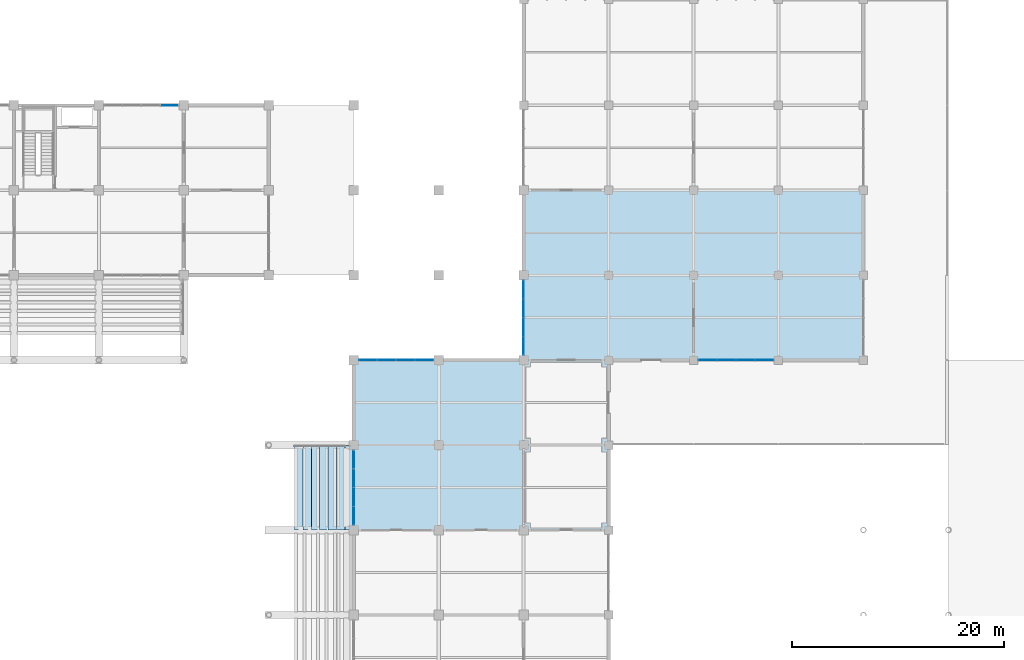
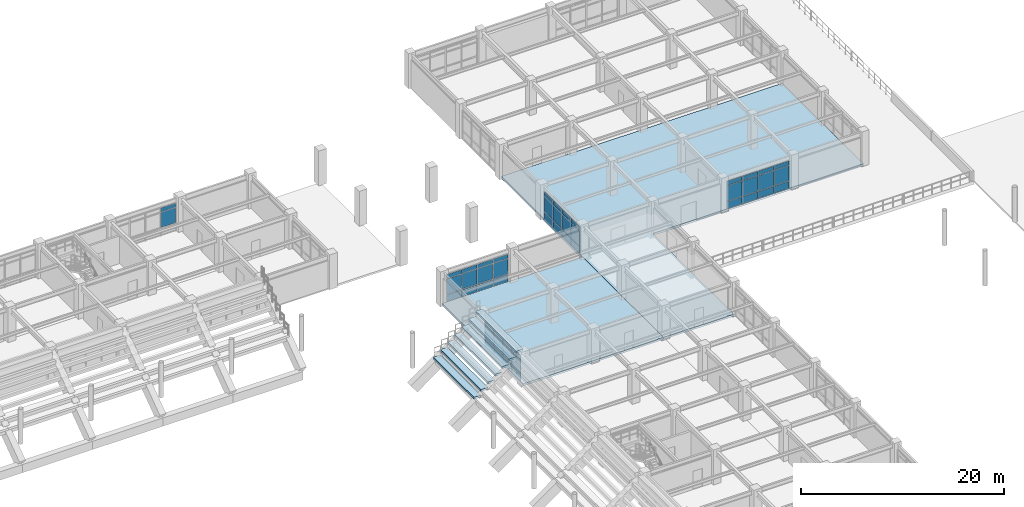
# One storey, part 83 of 118: 50 plates, 9 slabs, 5 elements without a shape of their own.
"""IFC4 building model written with IfcOpenShell, lengths in metres."""

from ifc_helpers import new_model, si_unit, direction, frame, origin, origin_2d, place, context, subcontext, project, spatial, polyline, rectangle, outline, extrude, material, layer, layer_set, type_object, element, aggregate, save


model = new_model("IFC4")

# Units and contexts
model_context = context("Model", 3, precision=1e-05, world=origin(), true_north=direction((0.0, 1.0)))
body_context = subcontext(model_context, "Body", "Model", "MODEL_VIEW")
ifc_project = project(units=[si_unit("LENGTHUNIT", "METRE"), si_unit("AREAUNIT", "SQUARE_METRE"), si_unit("VOLUMEUNIT", "CUBIC_METRE"), si_unit("PLANEANGLEUNIT", "RADIAN"), si_unit("MASSUNIT", "GRAM", prefix="KILO")], contexts=[model_context])

# Site, building, storey
site_placement = place(None, origin())
site = spatial("IfcSite", under=ifc_project, at=site_placement, CompositionType="ELEMENT")
building_placement = place(site_placement, origin())
building = spatial("IfcBuilding", under=site, at=building_placement, Name="Haebicheon Civic Stadium", CompositionType="ELEMENT")
storey_placement = place(building_placement, frame((0.0, 0.0, 14.39990234375)))
storey = spatial("IfcBuildingStorey", under=building, at=storey_placement, Name="L04", CompositionType="ELEMENT", Elevation=14.39990234375)

# Curtain wall, plate
ifc_material_1 = material(Name="Anodised aluminium and laminated glass", Category="aluminium")
ifc_layer_1 = layer(ifc_material_1, 0.179931640625, Name="Anodised aluminium and laminated glass")
ifc_layer_set_1 = layer_set([ifc_layer_1], Name="Anodised aluminium and laminated glass")
curtain_wall_type_1 = type_object("IfcCurtainWallType", Name="CW-7100x3330", PredefinedType="NOTDEFINED", material=ifc_layer_set_1)
curtain_wall_1_placement = place(storey_placement, origin())
curtain_wall_1 = element("IfcCurtainWall", 1, at=curtain_wall_1_placement, inside=storey, type_object=curtain_wall_type_1, material=ifc_layer_set_1, Name="L04 unitised curtain wall 138", PredefinedType="NOTDEFINED")
ifc_material_2 = material(Name="Double low-e acoustic laminated glass", Category="glass")
ifc_layer_2 = layer(ifc_material_2, 0.035888671875, Name="Double low-e acoustic laminated glass")
ifc_layer_set_2 = layer_set([ifc_layer_2], Name="Double low-e acoustic laminated glass")
plate_type_1 = type_object("IfcPlateType", Name="CWP-GLZ-36", PredefinedType="CURTAIN_PANEL", material=ifc_layer_set_2)
plate_1_placement = place(storey_placement, frame((126.64501953125, 168.0, 0.93505859375), z_axis=(0.0, 0.0, 1.0), x_axis=(1.0, 0.0, 0.0)))
plate_1 = element("IfcPlate", 2, at=plate_1_placement, type_object=plate_type_1, material=ifc_layer_set_2, Name="CW-L04-138 vision panel 4.2", PredefinedType="CURTAIN_PANEL", context=body_context, shape_type="SweptSolid", body=[
    extrude(rectangle(XDim=1.669921875, YDim=0.035888671875, at=origin_2d()), origin(), (0.0, 0.0, 1.0), 1.81005859375),
])

# Curtain wall, plates
ifc_material_3 = material(Name="Anodised aluminium and laminated glass", Category="aluminium")
ifc_layer_3 = layer(ifc_material_3, 0.179931640625, Name="Anodised aluminium and laminated glass")
ifc_layer_set_3 = layer_set([ifc_layer_3], Name="Anodised aluminium and laminated glass")
curtain_wall_type_2 = type_object("IfcCurtainWallType", Name="CW-7100x3100", PredefinedType="NOTDEFINED", material=ifc_layer_set_3)
curtain_wall_2_placement = place(storey_placement, origin())
curtain_wall_2 = element("IfcCurtainWall", 3, at=curtain_wall_2_placement, inside=storey, type_object=curtain_wall_type_2, material=ifc_layer_set_3, Name="L04 unitised curtain wall 147", PredefinedType="NOTDEFINED")
plate_2_placement = place(storey_placement, frame((144.0, 129.35498046875, 0.93505859375), z_axis=(0.0, 0.0, 1.0), x_axis=(0.0, 1.0, 0.0)))
plate_2 = element("IfcPlate", 4, at=plate_2_placement, type_object=plate_type_1, material=ifc_layer_set_2, Name="CW-L04-147 vision panel 1.2", PredefinedType="CURTAIN_PANEL", context=body_context, shape_type="SweptSolid", body=[
    extrude(rectangle(XDim=1.669921875, YDim=0.035888671875, at=origin_2d()), origin(), (0.0, 0.0, 1.0), 1.580078125),
])
plate_3_placement = place(storey_placement, frame((144.0, 131.112060546875, 0.93505859375), z_axis=(0.0, 0.0, 1.0), x_axis=(0.0, 1.0, 0.0)))
plate_3 = element("IfcPlate", 5, at=plate_3_placement, type_object=plate_type_1, material=ifc_layer_set_2, Name="CW-L04-147 vision panel 2.2", PredefinedType="CURTAIN_PANEL", context=body_context, shape_type="SweptSolid", body=[
    extrude(rectangle(XDim=1.705078125, YDim=0.035888671875, at=origin_2d()), origin(), (0.0, 0.0, 1.0), 1.580078125),
])
plate_4_placement = place(storey_placement, frame((144.0, 132.887939453125, 0.93505859375), z_axis=(0.0, 0.0, 1.0), x_axis=(0.0, 1.0, 0.0)))
plate_4 = element("IfcPlate", 6, at=plate_4_placement, type_object=plate_type_1, material=ifc_layer_set_2, Name="CW-L04-147 vision panel 3.2", PredefinedType="CURTAIN_PANEL", context=body_context, shape_type="SweptSolid", body=[
    extrude(rectangle(XDim=1.705078125, YDim=0.035888671875, at=origin_2d()), origin(), (0.0, 0.0, 1.0), 1.580078125),
])
plate_5_placement = place(storey_placement, frame((144.0, 134.64501953125, 0.93505859375), z_axis=(0.0, 0.0, 1.0), x_axis=(0.0, 1.0, 0.0)))
plate_5 = element("IfcPlate", 7, at=plate_5_placement, type_object=plate_type_1, material=ifc_layer_set_2, Name="CW-L04-147 vision panel 4.2", PredefinedType="CURTAIN_PANEL", context=body_context, shape_type="SweptSolid", body=[
    extrude(rectangle(XDim=1.669921875, YDim=0.035888671875, at=origin_2d()), origin(), (0.0, 0.0, 1.0), 1.580078125),
])

curtain_wall_3_placement = place(storey_placement, origin())
curtain_wall_3 = element("IfcCurtainWall", 8, at=curtain_wall_3_placement, inside=storey, type_object=curtain_wall_type_1, material=ifc_layer_set_1, Name="L04 unitised curtain wall 148", PredefinedType="NOTDEFINED")
plate_6_placement = place(storey_placement, frame((145.35498046875, 144.0, 0.93505859375), z_axis=(0.0, 0.0, 1.0), x_axis=(1.0, 0.0, 0.0)))
plate_6 = element("IfcPlate", 9, at=plate_6_placement, type_object=plate_type_1, material=ifc_layer_set_2, Name="CW-L04-148 vision panel 1.2", PredefinedType="CURTAIN_PANEL", context=body_context, shape_type="SweptSolid", body=[
    extrude(rectangle(XDim=1.669921875, YDim=0.035888671875, at=origin_2d()), origin(), (0.0, 0.0, 1.0), 1.81005859375),
])
plate_7_placement = place(storey_placement, frame((147.112060546875, 144.0, 0.93505859375), z_axis=(0.0, 0.0, 1.0), x_axis=(1.0, 0.0, 0.0)))
plate_7 = element("IfcPlate", 10, at=plate_7_placement, type_object=plate_type_1, material=ifc_layer_set_2, Name="CW-L04-148 vision panel 2.2", PredefinedType="CURTAIN_PANEL", context=body_context, shape_type="SweptSolid", body=[
    extrude(rectangle(XDim=1.705078125, YDim=0.035888671875, at=origin_2d()), origin(), (0.0, 0.0, 1.0), 1.81005859375),
])
plate_8_placement = place(storey_placement, frame((148.887939453125, 144.0, 0.93505859375), z_axis=(0.0, 0.0, 1.0), x_axis=(1.0, 0.0, 0.0)))
plate_8 = element("IfcPlate", 11, at=plate_8_placement, type_object=plate_type_1, material=ifc_layer_set_2, Name="CW-L04-148 vision panel 3.2", PredefinedType="CURTAIN_PANEL", context=body_context, shape_type="SweptSolid", body=[
    extrude(rectangle(XDim=1.705078125, YDim=0.035888671875, at=origin_2d()), origin(), (0.0, 0.0, 1.0), 1.81005859375),
])
plate_9_placement = place(storey_placement, frame((150.64501953125, 144.0, 0.93505859375), z_axis=(0.0, 0.0, 1.0), x_axis=(1.0, 0.0, 0.0)))
plate_9 = element("IfcPlate", 12, at=plate_9_placement, type_object=plate_type_1, material=ifc_layer_set_2, Name="CW-L04-148 vision panel 4.2", PredefinedType="CURTAIN_PANEL", context=body_context, shape_type="SweptSolid", body=[
    extrude(rectangle(XDim=1.669921875, YDim=0.035888671875, at=origin_2d()), origin(), (0.0, 0.0, 1.0), 1.81005859375),
])

ifc_material_4 = material(Name="Anodised aluminium and laminated glass", Category="aluminium")
ifc_layer_4 = layer(ifc_material_4, 0.179931640625, Name="Anodised aluminium and laminated glass")
ifc_layer_set_4 = layer_set([ifc_layer_4], Name="Anodised aluminium and laminated glass")
curtain_wall_type_3 = type_object("IfcCurtainWallType", Name="CW-7100x3326", PredefinedType="NOTDEFINED", material=ifc_layer_set_4)
curtain_wall_4_placement = place(storey_placement, origin())
curtain_wall_4 = element("IfcCurtainWall", 13, at=curtain_wall_4_placement, inside=storey, type_object=curtain_wall_type_3, material=ifc_layer_set_4, Name="L04 unitised curtain wall 159", PredefinedType="NOTDEFINED")
plate_10_placement = place(storey_placement, frame((160.0, 145.35498046875, 0.93505859375), z_axis=(0.0, 0.0, 1.0), x_axis=(0.0, 1.0, 0.0)))
plate_10 = element("IfcPlate", 14, at=plate_10_placement, type_object=plate_type_1, material=ifc_layer_set_2, Name="CW-L04-159 vision panel 1.2", PredefinedType="CURTAIN_PANEL", context=body_context, shape_type="SweptSolid", body=[
    extrude(rectangle(XDim=1.669921875, YDim=0.035888671875, at=origin_2d()), origin(), (0.0, 0.0, 1.0), 1.805908203125),
])
plate_11_placement = place(storey_placement, frame((160.0, 147.112060546875, 0.93505859375), z_axis=(0.0, 0.0, 1.0), x_axis=(0.0, 1.0, 0.0)))
plate_11 = element("IfcPlate", 15, at=plate_11_placement, type_object=plate_type_1, material=ifc_layer_set_2, Name="CW-L04-159 vision panel 2.2", PredefinedType="CURTAIN_PANEL", context=body_context, shape_type="SweptSolid", body=[
    extrude(rectangle(XDim=1.705078125, YDim=0.035888671875, at=origin_2d()), origin(), (0.0, 0.0, 1.0), 1.805908203125),
])
plate_12_placement = place(storey_placement, frame((160.0, 148.887939453125, 0.93505859375), z_axis=(0.0, 0.0, 1.0), x_axis=(0.0, 1.0, 0.0)))
plate_12 = element("IfcPlate", 16, at=plate_12_placement, type_object=plate_type_1, material=ifc_layer_set_2, Name="CW-L04-159 vision panel 3.2", PredefinedType="CURTAIN_PANEL", context=body_context, shape_type="SweptSolid", body=[
    extrude(rectangle(XDim=1.705078125, YDim=0.035888671875, at=origin_2d()), origin(), (0.0, 0.0, 1.0), 1.805908203125),
])
plate_13_placement = place(storey_placement, frame((160.0, 150.64501953125, 0.93505859375), z_axis=(0.0, 0.0, 1.0), x_axis=(0.0, 1.0, 0.0)))
plate_13 = element("IfcPlate", 17, at=plate_13_placement, type_object=plate_type_1, material=ifc_layer_set_2, Name="CW-L04-159 vision panel 4.2", PredefinedType="CURTAIN_PANEL", context=body_context, shape_type="SweptSolid", body=[
    extrude(rectangle(XDim=1.669921875, YDim=0.035888671875, at=origin_2d()), origin(), (0.0, 0.0, 1.0), 1.805908203125),
])

ifc_material_5 = material(Name="Anodised aluminium and laminated glass", Category="aluminium")
ifc_layer_5 = layer(ifc_material_5, 0.179931640625, Name="Anodised aluminium and laminated glass")
ifc_layer_set_5 = layer_set([ifc_layer_5], Name="Anodised aluminium and laminated glass")
curtain_wall_type_4 = type_object("IfcCurtainWallType", Name="CW-7200x3350", PredefinedType="NOTDEFINED", material=ifc_layer_set_5)
curtain_wall_5_placement = place(storey_placement, origin())
curtain_wall_5 = element("IfcCurtainWall", 18, at=curtain_wall_5_placement, inside=storey, type_object=curtain_wall_type_4, material=ifc_layer_set_5, Name="L04 unitised curtain wall 163", PredefinedType="NOTDEFINED")
plate_14_placement = place(storey_placement, frame((177.318115234375, 144.0, 0.93505859375), z_axis=(0.0, 0.0, 1.0), x_axis=(1.0, 0.0, 0.0)))
plate_14 = element("IfcPlate", 19, at=plate_14_placement, type_object=plate_type_1, material=ifc_layer_set_2, Name="CW-L04-163 vision panel 1.2", PredefinedType="CURTAIN_PANEL", context=body_context, shape_type="SweptSolid", body=[
    extrude(rectangle(XDim=1.695068359375, YDim=0.035888671875, at=origin_2d()), origin(), (0.0, 0.0, 1.0), 1.830078125),
])
plate_15_placement = place(storey_placement, frame((179.10009765625, 144.0, 0.93505859375), z_axis=(0.0, 0.0, 1.0), x_axis=(1.0, 0.0, 0.0)))
plate_15 = element("IfcPlate", 20, at=plate_15_placement, type_object=plate_type_1, material=ifc_layer_set_2, Name="CW-L04-163 vision panel 2.2", PredefinedType="CURTAIN_PANEL", context=body_context, shape_type="SweptSolid", body=[
    extrude(rectangle(XDim=1.72998046875, YDim=0.035888671875, at=origin_2d()), origin(), (0.0, 0.0, 1.0), 1.830078125),
])
plate_16_placement = place(storey_placement, frame((180.89990234375, 144.0, 0.93505859375), z_axis=(0.0, 0.0, 1.0), x_axis=(1.0, 0.0, 0.0)))
plate_16 = element("IfcPlate", 21, at=plate_16_placement, type_object=plate_type_1, material=ifc_layer_set_2, Name="CW-L04-163 vision panel 3.2", PredefinedType="CURTAIN_PANEL", context=body_context, shape_type="SweptSolid", body=[
    extrude(rectangle(XDim=1.72998046875, YDim=0.035888671875, at=origin_2d()), origin(), (0.0, 0.0, 1.0), 1.830078125),
])
plate_17_placement = place(storey_placement, frame((182.681884765625, 144.0, 0.93505859375), z_axis=(0.0, 0.0, 1.0), x_axis=(1.0, 0.0, 0.0)))
plate_17 = element("IfcPlate", 22, at=plate_17_placement, type_object=plate_type_1, material=ifc_layer_set_2, Name="CW-L04-163 vision panel 4.2", PredefinedType="CURTAIN_PANEL", context=body_context, shape_type="SweptSolid", body=[
    extrude(rectangle(XDim=1.695068359375, YDim=0.035888671875, at=origin_2d()), origin(), (0.0, 0.0, 1.0), 1.830078125),
])

# Plate
ifc_material_6 = material(Name="Anodised aluminium 6063-T6", Category="aluminium")
ifc_layer_6 = layer(ifc_material_6, 0.053955078125, Name="Anodised aluminium 6063-T6")
ifc_layer_set_6 = layer_set([ifc_layer_6], Name="Anodised aluminium 6063-T6")
plate_type_2 = type_object("IfcPlateType", Name="CWP-SPD-54", PredefinedType="CURTAIN_PANEL", material=ifc_layer_set_6)
plate_18_placement = place(storey_placement, frame((126.64501953125, 168.0, 2.815185546875), z_axis=(0.0, 0.0, 1.0), x_axis=(1.0, 0.0, 0.0)))
plate_18 = element("IfcPlate", 23, at=plate_18_placement, type_object=plate_type_2, material=ifc_layer_set_6, Name="CW-L04-138 spandrel panel 4.3", PredefinedType="CURTAIN_PANEL", context=body_context, shape_type="SweptSolid", body=[
    extrude(rectangle(XDim=1.669921875, YDim=0.053955078125, at=origin_2d()), origin(), (0.0, 0.0, 1.0), 0.47998046875),
])

aggregate(curtain_wall_1, [plate_1, plate_18])

plate_19_placement = place(storey_placement, frame((144.0, 129.35498046875, 0.03515625), z_axis=(0.0, 0.0, 1.0), x_axis=(0.0, 1.0, 0.0)))
plate_19 = element("IfcPlate", 24, at=plate_19_placement, type_object=plate_type_2, material=ifc_layer_set_6, Name="CW-L04-147 spandrel panel 1.1", PredefinedType="CURTAIN_PANEL", context=body_context, shape_type="SweptSolid", body=[
    extrude(rectangle(XDim=1.669921875, YDim=0.053955078125, at=origin_2d()), origin(), (0.0, 0.0, 1.0), 0.830078125),
])

plate_20_placement = place(storey_placement, frame((144.0, 129.35498046875, 2.585205078125), z_axis=(0.0, 0.0, 1.0), x_axis=(0.0, 1.0, 0.0)))
plate_20 = element("IfcPlate", 25, at=plate_20_placement, type_object=plate_type_2, material=ifc_layer_set_6, Name="CW-L04-147 spandrel panel 1.3", PredefinedType="CURTAIN_PANEL", context=body_context, shape_type="SweptSolid", body=[
    extrude(rectangle(XDim=1.669921875, YDim=0.053955078125, at=origin_2d()), origin(), (0.0, 0.0, 1.0), 0.47998046875),
])

plate_21_placement = place(storey_placement, frame((144.0, 131.112060546875, 0.03515625), z_axis=(0.0, 0.0, 1.0), x_axis=(0.0, 1.0, 0.0)))
plate_21 = element("IfcPlate", 26, at=plate_21_placement, type_object=plate_type_2, material=ifc_layer_set_6, Name="CW-L04-147 spandrel panel 2.1", PredefinedType="CURTAIN_PANEL", context=body_context, shape_type="SweptSolid", body=[
    extrude(rectangle(XDim=1.705078125, YDim=0.053955078125, at=origin_2d()), origin(), (0.0, 0.0, 1.0), 0.830078125),
])

plate_22_placement = place(storey_placement, frame((144.0, 131.112060546875, 2.585205078125), z_axis=(0.0, 0.0, 1.0), x_axis=(0.0, 1.0, 0.0)))
plate_22 = element("IfcPlate", 27, at=plate_22_placement, type_object=plate_type_2, material=ifc_layer_set_6, Name="CW-L04-147 spandrel panel 2.3", PredefinedType="CURTAIN_PANEL", context=body_context, shape_type="SweptSolid", body=[
    extrude(rectangle(XDim=1.705078125, YDim=0.053955078125, at=origin_2d()), origin(), (0.0, 0.0, 1.0), 0.47998046875),
])

plate_23_placement = place(storey_placement, frame((144.0, 132.887939453125, 0.03515625), z_axis=(0.0, 0.0, 1.0), x_axis=(0.0, 1.0, 0.0)))
plate_23 = element("IfcPlate", 28, at=plate_23_placement, type_object=plate_type_2, material=ifc_layer_set_6, Name="CW-L04-147 spandrel panel 3.1", PredefinedType="CURTAIN_PANEL", context=body_context, shape_type="SweptSolid", body=[
    extrude(rectangle(XDim=1.705078125, YDim=0.053955078125, at=origin_2d()), origin(), (0.0, 0.0, 1.0), 0.830078125),
])

plate_24_placement = place(storey_placement, frame((144.0, 132.887939453125, 2.585205078125), z_axis=(0.0, 0.0, 1.0), x_axis=(0.0, 1.0, 0.0)))
plate_24 = element("IfcPlate", 29, at=plate_24_placement, type_object=plate_type_2, material=ifc_layer_set_6, Name="CW-L04-147 spandrel panel 3.3", PredefinedType="CURTAIN_PANEL", context=body_context, shape_type="SweptSolid", body=[
    extrude(rectangle(XDim=1.705078125, YDim=0.053955078125, at=origin_2d()), origin(), (0.0, 0.0, 1.0), 0.47998046875),
])

plate_25_placement = place(storey_placement, frame((144.0, 134.64501953125, 0.03515625), z_axis=(0.0, 0.0, 1.0), x_axis=(0.0, 1.0, 0.0)))
plate_25 = element("IfcPlate", 30, at=plate_25_placement, type_object=plate_type_2, material=ifc_layer_set_6, Name="CW-L04-147 spandrel panel 4.1", PredefinedType="CURTAIN_PANEL", context=body_context, shape_type="SweptSolid", body=[
    extrude(rectangle(XDim=1.669921875, YDim=0.053955078125, at=origin_2d()), origin(), (0.0, 0.0, 1.0), 0.830078125),
])

plate_26_placement = place(storey_placement, frame((144.0, 134.64501953125, 2.585205078125), z_axis=(0.0, 0.0, 1.0), x_axis=(0.0, 1.0, 0.0)))
plate_26 = element("IfcPlate", 31, at=plate_26_placement, type_object=plate_type_2, material=ifc_layer_set_6, Name="CW-L04-147 spandrel panel 4.3", PredefinedType="CURTAIN_PANEL", context=body_context, shape_type="SweptSolid", body=[
    extrude(rectangle(XDim=1.669921875, YDim=0.053955078125, at=origin_2d()), origin(), (0.0, 0.0, 1.0), 0.47998046875),
])

aggregate(curtain_wall_2, [plate_19, plate_2, plate_20, plate_21, plate_3, plate_22, plate_23, plate_4, plate_24, plate_25, plate_5, plate_26])

plate_27_placement = place(storey_placement, frame((145.35498046875, 144.0, 0.03515625), z_axis=(0.0, 0.0, 1.0), x_axis=(1.0, 0.0, 0.0)))
plate_27 = element("IfcPlate", 32, at=plate_27_placement, type_object=plate_type_2, material=ifc_layer_set_6, Name="CW-L04-148 spandrel panel 1.1", PredefinedType="CURTAIN_PANEL", context=body_context, shape_type="SweptSolid", body=[
    extrude(rectangle(XDim=1.669921875, YDim=0.053955078125, at=origin_2d()), origin(), (0.0, 0.0, 1.0), 0.830078125),
])

plate_28_placement = place(storey_placement, frame((145.35498046875, 144.0, 2.815185546875), z_axis=(0.0, 0.0, 1.0), x_axis=(1.0, 0.0, 0.0)))
plate_28 = element("IfcPlate", 33, at=plate_28_placement, type_object=plate_type_2, material=ifc_layer_set_6, Name="CW-L04-148 spandrel panel 1.3", PredefinedType="CURTAIN_PANEL", context=body_context, shape_type="SweptSolid", body=[
    extrude(rectangle(XDim=1.669921875, YDim=0.053955078125, at=origin_2d()), origin(), (0.0, 0.0, 1.0), 0.47998046875),
])

plate_29_placement = place(storey_placement, frame((147.112060546875, 144.0, 0.03515625), z_axis=(0.0, 0.0, 1.0), x_axis=(1.0, 0.0, 0.0)))
plate_29 = element("IfcPlate", 34, at=plate_29_placement, type_object=plate_type_2, material=ifc_layer_set_6, Name="CW-L04-148 spandrel panel 2.1", PredefinedType="CURTAIN_PANEL", context=body_context, shape_type="SweptSolid", body=[
    extrude(rectangle(XDim=1.705078125, YDim=0.053955078125, at=origin_2d()), origin(), (0.0, 0.0, 1.0), 0.830078125),
])

plate_30_placement = place(storey_placement, frame((147.112060546875, 144.0, 2.815185546875), z_axis=(0.0, 0.0, 1.0), x_axis=(1.0, 0.0, 0.0)))
plate_30 = element("IfcPlate", 35, at=plate_30_placement, type_object=plate_type_2, material=ifc_layer_set_6, Name="CW-L04-148 spandrel panel 2.3", PredefinedType="CURTAIN_PANEL", context=body_context, shape_type="SweptSolid", body=[
    extrude(rectangle(XDim=1.705078125, YDim=0.053955078125, at=origin_2d()), origin(), (0.0, 0.0, 1.0), 0.47998046875),
])

plate_31_placement = place(storey_placement, frame((148.887939453125, 144.0, 0.03515625), z_axis=(0.0, 0.0, 1.0), x_axis=(1.0, 0.0, 0.0)))
plate_31 = element("IfcPlate", 36, at=plate_31_placement, type_object=plate_type_2, material=ifc_layer_set_6, Name="CW-L04-148 spandrel panel 3.1", PredefinedType="CURTAIN_PANEL", context=body_context, shape_type="SweptSolid", body=[
    extrude(rectangle(XDim=1.705078125, YDim=0.053955078125, at=origin_2d()), origin(), (0.0, 0.0, 1.0), 0.830078125),
])

plate_32_placement = place(storey_placement, frame((148.887939453125, 144.0, 2.815185546875), z_axis=(0.0, 0.0, 1.0), x_axis=(1.0, 0.0, 0.0)))
plate_32 = element("IfcPlate", 37, at=plate_32_placement, type_object=plate_type_2, material=ifc_layer_set_6, Name="CW-L04-148 spandrel panel 3.3", PredefinedType="CURTAIN_PANEL", context=body_context, shape_type="SweptSolid", body=[
    extrude(rectangle(XDim=1.705078125, YDim=0.053955078125, at=origin_2d()), origin(), (0.0, 0.0, 1.0), 0.47998046875),
])

plate_33_placement = place(storey_placement, frame((150.64501953125, 144.0, 0.03515625), z_axis=(0.0, 0.0, 1.0), x_axis=(1.0, 0.0, 0.0)))
plate_33 = element("IfcPlate", 38, at=plate_33_placement, type_object=plate_type_2, material=ifc_layer_set_6, Name="CW-L04-148 spandrel panel 4.1", PredefinedType="CURTAIN_PANEL", context=body_context, shape_type="SweptSolid", body=[
    extrude(rectangle(XDim=1.669921875, YDim=0.053955078125, at=origin_2d()), origin(), (0.0, 0.0, 1.0), 0.830078125),
])

plate_34_placement = place(storey_placement, frame((150.64501953125, 144.0, 2.815185546875), z_axis=(0.0, 0.0, 1.0), x_axis=(1.0, 0.0, 0.0)))
plate_34 = element("IfcPlate", 39, at=plate_34_placement, type_object=plate_type_2, material=ifc_layer_set_6, Name="CW-L04-148 spandrel panel 4.3", PredefinedType="CURTAIN_PANEL", context=body_context, shape_type="SweptSolid", body=[
    extrude(rectangle(XDim=1.669921875, YDim=0.053955078125, at=origin_2d()), origin(), (0.0, 0.0, 1.0), 0.47998046875),
])

aggregate(curtain_wall_3, [plate_27, plate_6, plate_28, plate_29, plate_7, plate_30, plate_31, plate_8, plate_32, plate_33, plate_9, plate_34])

plate_35_placement = place(storey_placement, frame((160.0, 145.35498046875, 0.03515625), z_axis=(0.0, 0.0, 1.0), x_axis=(0.0, 1.0, 0.0)))
plate_35 = element("IfcPlate", 40, at=plate_35_placement, type_object=plate_type_2, material=ifc_layer_set_6, Name="CW-L04-159 spandrel panel 1.1", PredefinedType="CURTAIN_PANEL", context=body_context, shape_type="SweptSolid", body=[
    extrude(rectangle(XDim=1.669921875, YDim=0.053955078125, at=origin_2d()), origin(), (0.0, 0.0, 1.0), 0.830078125),
])

plate_36_placement = place(storey_placement, frame((160.0, 145.35498046875, 2.81103515625), z_axis=(0.0, 0.0, 1.0), x_axis=(0.0, 1.0, 0.0)))
plate_36 = element("IfcPlate", 41, at=plate_36_placement, type_object=plate_type_2, material=ifc_layer_set_6, Name="CW-L04-159 spandrel panel 1.3", PredefinedType="CURTAIN_PANEL", context=body_context, shape_type="SweptSolid", body=[
    extrude(rectangle(XDim=1.669921875, YDim=0.053955078125, at=origin_2d()), origin(), (0.0, 0.0, 1.0), 0.47998046875),
])

plate_37_placement = place(storey_placement, frame((160.0, 147.112060546875, 0.03515625), z_axis=(0.0, 0.0, 1.0), x_axis=(0.0, 1.0, 0.0)))
plate_37 = element("IfcPlate", 42, at=plate_37_placement, type_object=plate_type_2, material=ifc_layer_set_6, Name="CW-L04-159 spandrel panel 2.1", PredefinedType="CURTAIN_PANEL", context=body_context, shape_type="SweptSolid", body=[
    extrude(rectangle(XDim=1.705078125, YDim=0.053955078125, at=origin_2d()), origin(), (0.0, 0.0, 1.0), 0.830078125),
])

plate_38_placement = place(storey_placement, frame((160.0, 147.112060546875, 2.81103515625), z_axis=(0.0, 0.0, 1.0), x_axis=(0.0, 1.0, 0.0)))
plate_38 = element("IfcPlate", 43, at=plate_38_placement, type_object=plate_type_2, material=ifc_layer_set_6, Name="CW-L04-159 spandrel panel 2.3", PredefinedType="CURTAIN_PANEL", context=body_context, shape_type="SweptSolid", body=[
    extrude(rectangle(XDim=1.705078125, YDim=0.053955078125, at=origin_2d()), origin(), (0.0, 0.0, 1.0), 0.47998046875),
])

plate_39_placement = place(storey_placement, frame((160.0, 148.887939453125, 0.03515625), z_axis=(0.0, 0.0, 1.0), x_axis=(0.0, 1.0, 0.0)))
plate_39 = element("IfcPlate", 44, at=plate_39_placement, type_object=plate_type_2, material=ifc_layer_set_6, Name="CW-L04-159 spandrel panel 3.1", PredefinedType="CURTAIN_PANEL", context=body_context, shape_type="SweptSolid", body=[
    extrude(rectangle(XDim=1.705078125, YDim=0.053955078125, at=origin_2d()), origin(), (0.0, 0.0, 1.0), 0.830078125),
])

plate_40_placement = place(storey_placement, frame((160.0, 148.887939453125, 2.81103515625), z_axis=(0.0, 0.0, 1.0), x_axis=(0.0, 1.0, 0.0)))
plate_40 = element("IfcPlate", 45, at=plate_40_placement, type_object=plate_type_2, material=ifc_layer_set_6, Name="CW-L04-159 spandrel panel 3.3", PredefinedType="CURTAIN_PANEL", context=body_context, shape_type="SweptSolid", body=[
    extrude(rectangle(XDim=1.705078125, YDim=0.053955078125, at=origin_2d()), origin(), (0.0, 0.0, 1.0), 0.47998046875),
])

plate_41_placement = place(storey_placement, frame((160.0, 150.64501953125, 0.03515625), z_axis=(0.0, 0.0, 1.0), x_axis=(0.0, 1.0, 0.0)))
plate_41 = element("IfcPlate", 46, at=plate_41_placement, type_object=plate_type_2, material=ifc_layer_set_6, Name="CW-L04-159 spandrel panel 4.1", PredefinedType="CURTAIN_PANEL", context=body_context, shape_type="SweptSolid", body=[
    extrude(rectangle(XDim=1.669921875, YDim=0.053955078125, at=origin_2d()), origin(), (0.0, 0.0, 1.0), 0.830078125),
])

plate_42_placement = place(storey_placement, frame((160.0, 150.64501953125, 2.81103515625), z_axis=(0.0, 0.0, 1.0), x_axis=(0.0, 1.0, 0.0)))
plate_42 = element("IfcPlate", 47, at=plate_42_placement, type_object=plate_type_2, material=ifc_layer_set_6, Name="CW-L04-159 spandrel panel 4.3", PredefinedType="CURTAIN_PANEL", context=body_context, shape_type="SweptSolid", body=[
    extrude(rectangle(XDim=1.669921875, YDim=0.053955078125, at=origin_2d()), origin(), (0.0, 0.0, 1.0), 0.47998046875),
])

aggregate(curtain_wall_4, [plate_35, plate_10, plate_36, plate_37, plate_11, plate_38, plate_39, plate_12, plate_40, plate_41, plate_13, plate_42])

plate_43_placement = place(storey_placement, frame((177.318115234375, 144.0, 0.03515625), z_axis=(0.0, 0.0, 1.0), x_axis=(1.0, 0.0, 0.0)))
plate_43 = element("IfcPlate", 48, at=plate_43_placement, type_object=plate_type_2, material=ifc_layer_set_6, Name="CW-L04-163 spandrel panel 1.1", PredefinedType="CURTAIN_PANEL", context=body_context, shape_type="SweptSolid", body=[
    extrude(rectangle(XDim=1.695068359375, YDim=0.053955078125, at=origin_2d()), origin(), (0.0, 0.0, 1.0), 0.830078125),
])

plate_44_placement = place(storey_placement, frame((177.318115234375, 144.0, 2.835205078125), z_axis=(0.0, 0.0, 1.0), x_axis=(1.0, 0.0, 0.0)))
plate_44 = element("IfcPlate", 49, at=plate_44_placement, type_object=plate_type_2, material=ifc_layer_set_6, Name="CW-L04-163 spandrel panel 1.3", PredefinedType="CURTAIN_PANEL", context=body_context, shape_type="SweptSolid", body=[
    extrude(rectangle(XDim=1.695068359375, YDim=0.053955078125, at=origin_2d()), origin(), (0.0, 0.0, 1.0), 0.47998046875),
])

plate_45_placement = place(storey_placement, frame((179.10009765625, 144.0, 0.03515625), z_axis=(0.0, 0.0, 1.0), x_axis=(1.0, 0.0, 0.0)))
plate_45 = element("IfcPlate", 50, at=plate_45_placement, type_object=plate_type_2, material=ifc_layer_set_6, Name="CW-L04-163 spandrel panel 2.1", PredefinedType="CURTAIN_PANEL", context=body_context, shape_type="SweptSolid", body=[
    extrude(rectangle(XDim=1.72998046875, YDim=0.053955078125, at=origin_2d()), origin(), (0.0, 0.0, 1.0), 0.830078125),
])

plate_46_placement = place(storey_placement, frame((179.10009765625, 144.0, 2.835205078125), z_axis=(0.0, 0.0, 1.0), x_axis=(1.0, 0.0, 0.0)))
plate_46 = element("IfcPlate", 51, at=plate_46_placement, type_object=plate_type_2, material=ifc_layer_set_6, Name="CW-L04-163 spandrel panel 2.3", PredefinedType="CURTAIN_PANEL", context=body_context, shape_type="SweptSolid", body=[
    extrude(rectangle(XDim=1.72998046875, YDim=0.053955078125, at=origin_2d()), origin(), (0.0, 0.0, 1.0), 0.47998046875),
])

plate_47_placement = place(storey_placement, frame((180.89990234375, 144.0, 0.03515625), z_axis=(0.0, 0.0, 1.0), x_axis=(1.0, 0.0, 0.0)))
plate_47 = element("IfcPlate", 52, at=plate_47_placement, type_object=plate_type_2, material=ifc_layer_set_6, Name="CW-L04-163 spandrel panel 3.1", PredefinedType="CURTAIN_PANEL", context=body_context, shape_type="SweptSolid", body=[
    extrude(rectangle(XDim=1.72998046875, YDim=0.053955078125, at=origin_2d()), origin(), (0.0, 0.0, 1.0), 0.830078125),
])

plate_48_placement = place(storey_placement, frame((180.89990234375, 144.0, 2.835205078125), z_axis=(0.0, 0.0, 1.0), x_axis=(1.0, 0.0, 0.0)))
plate_48 = element("IfcPlate", 53, at=plate_48_placement, type_object=plate_type_2, material=ifc_layer_set_6, Name="CW-L04-163 spandrel panel 3.3", PredefinedType="CURTAIN_PANEL", context=body_context, shape_type="SweptSolid", body=[
    extrude(rectangle(XDim=1.72998046875, YDim=0.053955078125, at=origin_2d()), origin(), (0.0, 0.0, 1.0), 0.47998046875),
])

plate_49_placement = place(storey_placement, frame((182.681884765625, 144.0, 0.03515625), z_axis=(0.0, 0.0, 1.0), x_axis=(1.0, 0.0, 0.0)))
plate_49 = element("IfcPlate", 54, at=plate_49_placement, type_object=plate_type_2, material=ifc_layer_set_6, Name="CW-L04-163 spandrel panel 4.1", PredefinedType="CURTAIN_PANEL", context=body_context, shape_type="SweptSolid", body=[
    extrude(rectangle(XDim=1.695068359375, YDim=0.053955078125, at=origin_2d()), origin(), (0.0, 0.0, 1.0), 0.830078125),
])

plate_50_placement = place(storey_placement, frame((182.681884765625, 144.0, 2.835205078125), z_axis=(0.0, 0.0, 1.0), x_axis=(1.0, 0.0, 0.0)))
plate_50 = element("IfcPlate", 55, at=plate_50_placement, type_object=plate_type_2, material=ifc_layer_set_6, Name="CW-L04-163 spandrel panel 4.3", PredefinedType="CURTAIN_PANEL", context=body_context, shape_type="SweptSolid", body=[
    extrude(rectangle(XDim=1.695068359375, YDim=0.053955078125, at=origin_2d()), origin(), (0.0, 0.0, 1.0), 0.47998046875),
])

aggregate(curtain_wall_5, [plate_43, plate_14, plate_44, plate_45, plate_15, plate_46, plate_47, plate_16, plate_48, plate_49, plate_17, plate_50])

# Slabs
ifc_material_7 = material(Name="Concrete C40/50", Category="concrete")
ifc_layer_7 = layer(ifc_material_7, 0.260009765625, Name="Concrete C40/50")
ifc_layer_set_7 = layer_set([ifc_layer_7], Name="Concrete C40/50")
slab_type_1 = type_object("IfcSlabType", Name="SLB-FLR-260", PredefinedType="FLOOR", material=ifc_layer_set_7)
slab_1_placement = place(storey_placement, frame((0.0, 0.0, -0.260009765625)))
element("IfcSlab", 56, at=slab_1_placement, inside=storey, type_object=slab_type_1, material=ifc_layer_set_7, Name="L04 V2 structural slab 11.2", PredefinedType="FLOOR", context=body_context, shape_type="SweptSolid", body=[
    extrude(outline(polyline([(144.0, 136.0), (144.0, 144.0), (152.0, 144.0), (160.0, 144.0), (160.0, 136.0), (160.0, 128.0), (152.0, 128.0), (144.0, 128.0), (144.0, 136.0)])), origin(), (0.0, 0.0, 1.0), 0.260009765625),
])
slab_2_placement = place(storey_placement, frame((0.0, 0.0, -0.260009765625)))
element("IfcSlab", 57, at=slab_2_placement, inside=storey, type_object=slab_type_1, material=ifc_layer_set_7, Name="L04 V4 structural slab 5.1", PredefinedType="FLOOR", context=body_context, shape_type="SweptSolid", body=[
    extrude(outline(polyline([(160.0, 136.0), (160.0, 144.0), (160.0, 152.0), (160.0, 160.0), (168.0, 160.0), (176.0, 160.0), (184.0, 160.0), (192.0, 160.0), (192.0, 152.0), (192.0, 144.0), (184.0, 144.0), (176.0, 144.0), (168.0, 144.0), (168.0, 136.0), (168.0, 128.0), (160.0, 128.0), (160.0, 136.0)])), origin(), (0.0, 0.0, 1.0), 0.260009765625),
])
ifc_material_8 = material(Name="Precast concrete C40/50", Category="concrete")
ifc_layer_8 = layer(ifc_material_8, 0.239990234375, Name="Precast concrete C40/50")
ifc_layer_set_8 = layer_set([ifc_layer_8], Name="Precast concrete C40/50")
slab_type_2 = type_object("IfcSlabType", Name="SLB-TIER-240", PredefinedType="USERDEFINED", material=ifc_layer_set_8)
slab_3_placement = place(storey_placement, frame((0.0, 0.0, 0.093017578125)))
element("IfcSlab", 58, at=slab_3_placement, inside=storey, type_object=slab_type_2, material=ifc_layer_set_8, Name="TIER-E-U precast seating tier bay 11 row-band 4", ObjectType="SEATING TIER", PredefinedType="USERDEFINED", context=body_context, shape_type="SweptSolid", body=[
    extrude(outline(polyline([(138.39990234375, 128.0), (139.199951171875, 128.0), (139.199951171875, 136.0), (138.39990234375, 136.0), (138.39990234375, 128.0)])), origin(), (0.0, 0.0, 1.0), 0.239990234375),
])
slab_4_placement = place(storey_placement, frame((0.0, 0.0, 0.738037109375)))
element("IfcSlab", 59, at=slab_4_placement, inside=storey, type_object=slab_type_2, material=ifc_layer_set_8, Name="TIER-E-U precast seating tier bay 11 row-band 5", ObjectType="SEATING TIER", PredefinedType="USERDEFINED", context=body_context, shape_type="SweptSolid", body=[
    extrude(outline(polyline([(139.199951171875, 128.0), (140.0, 128.0), (140.0, 136.0), (139.199951171875, 136.0), (139.199951171875, 128.0)])), origin(), (0.0, 0.0, 1.0), 0.239990234375),
])
slab_5_placement = place(storey_placement, frame((0.0, 0.0, 1.382080078125)))
element("IfcSlab", 60, at=slab_5_placement, inside=storey, type_object=slab_type_2, material=ifc_layer_set_8, Name="TIER-E-U precast seating tier bay 11 row-band 6", ObjectType="SEATING TIER", PredefinedType="USERDEFINED", context=body_context, shape_type="SweptSolid", body=[
    extrude(outline(polyline([(140.0, 128.0), (140.800048828125, 128.0), (140.800048828125, 136.0), (140.0, 136.0), (140.0, 128.0)])), origin(), (0.0, 0.0, 1.0), 0.239990234375),
])
slab_6_placement = place(storey_placement, frame((0.0, 0.0, 2.027099609375)))
element("IfcSlab", 61, at=slab_6_placement, inside=storey, type_object=slab_type_2, material=ifc_layer_set_8, Name="TIER-E-U precast seating tier bay 11 row-band 7", ObjectType="SEATING TIER", PredefinedType="USERDEFINED", context=body_context, shape_type="SweptSolid", body=[
    extrude(outline(polyline([(140.800048828125, 128.0), (141.60009765625, 128.0), (141.60009765625, 136.0), (140.800048828125, 136.0), (140.800048828125, 128.0)])), origin(), (0.0, 0.0, 1.0), 0.239990234375),
])
slab_7_placement = place(storey_placement, frame((0.0, 0.0, 2.671142578125)))
element("IfcSlab", 62, at=slab_7_placement, inside=storey, type_object=slab_type_2, material=ifc_layer_set_8, Name="TIER-E-U precast seating tier bay 11 row-band 8", ObjectType="SEATING TIER", PredefinedType="USERDEFINED", context=body_context, shape_type="SweptSolid", body=[
    extrude(outline(polyline([(141.60009765625, 128.0), (142.39990234375, 128.0), (142.39990234375, 136.0), (141.60009765625, 136.0), (141.60009765625, 128.0)])), origin(), (0.0, 0.0, 1.0), 0.239990234375),
])
slab_8_placement = place(storey_placement, frame((0.0, 0.0, 3.316162109375)))
element("IfcSlab", 63, at=slab_8_placement, inside=storey, type_object=slab_type_2, material=ifc_layer_set_8, Name="TIER-E-U precast seating tier bay 11 row-band 9", ObjectType="SEATING TIER", PredefinedType="USERDEFINED", context=body_context, shape_type="SweptSolid", body=[
    extrude(outline(polyline([(142.39990234375, 128.0), (143.199951171875, 128.0), (143.199951171875, 136.0), (142.39990234375, 136.0), (142.39990234375, 128.0)])), origin(), (0.0, 0.0, 1.0), 0.239990234375),
])
slab_9_placement = place(storey_placement, frame((0.0, 0.0, 3.960205078125)))
element("IfcSlab", 64, at=slab_9_placement, inside=storey, type_object=slab_type_2, material=ifc_layer_set_8, Name="TIER-E-U precast seating tier bay 11 row-band 10", ObjectType="SEATING TIER", PredefinedType="USERDEFINED", context=body_context, shape_type="SweptSolid", body=[
    extrude(outline(polyline([(143.199951171875, 128.0), (144.0, 128.0), (144.0, 136.0), (143.199951171875, 136.0), (143.199951171875, 128.0)])), origin(), (0.0, 0.0, 1.0), 0.239990234375),
])

save(model, "model.ifc")
